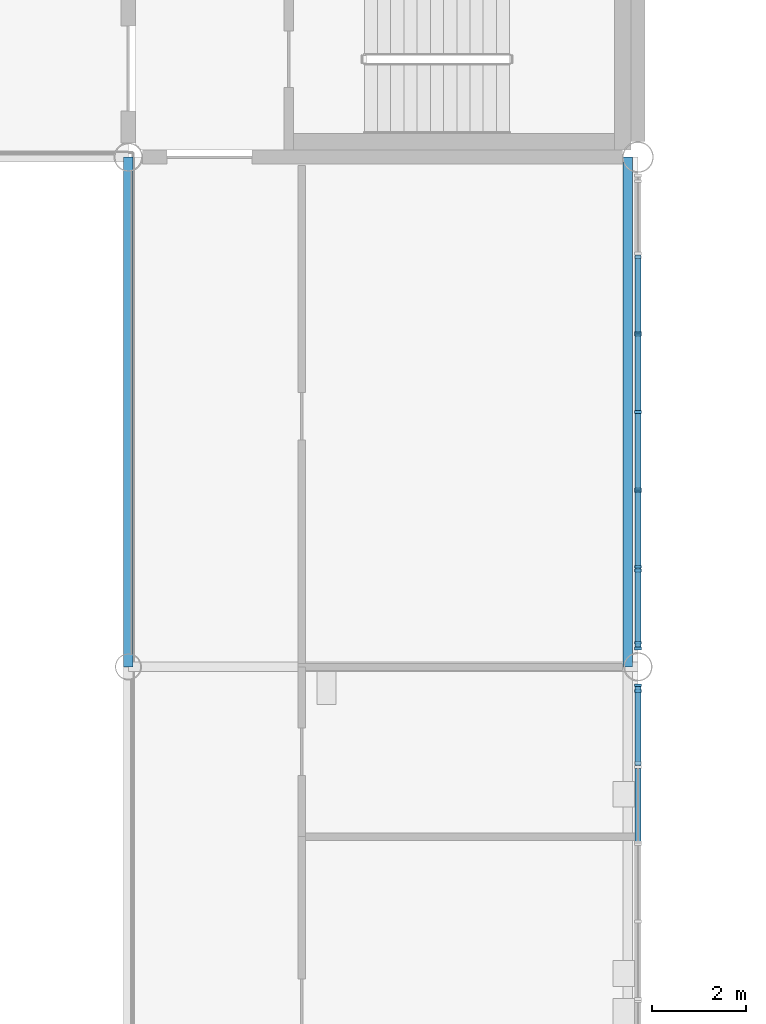
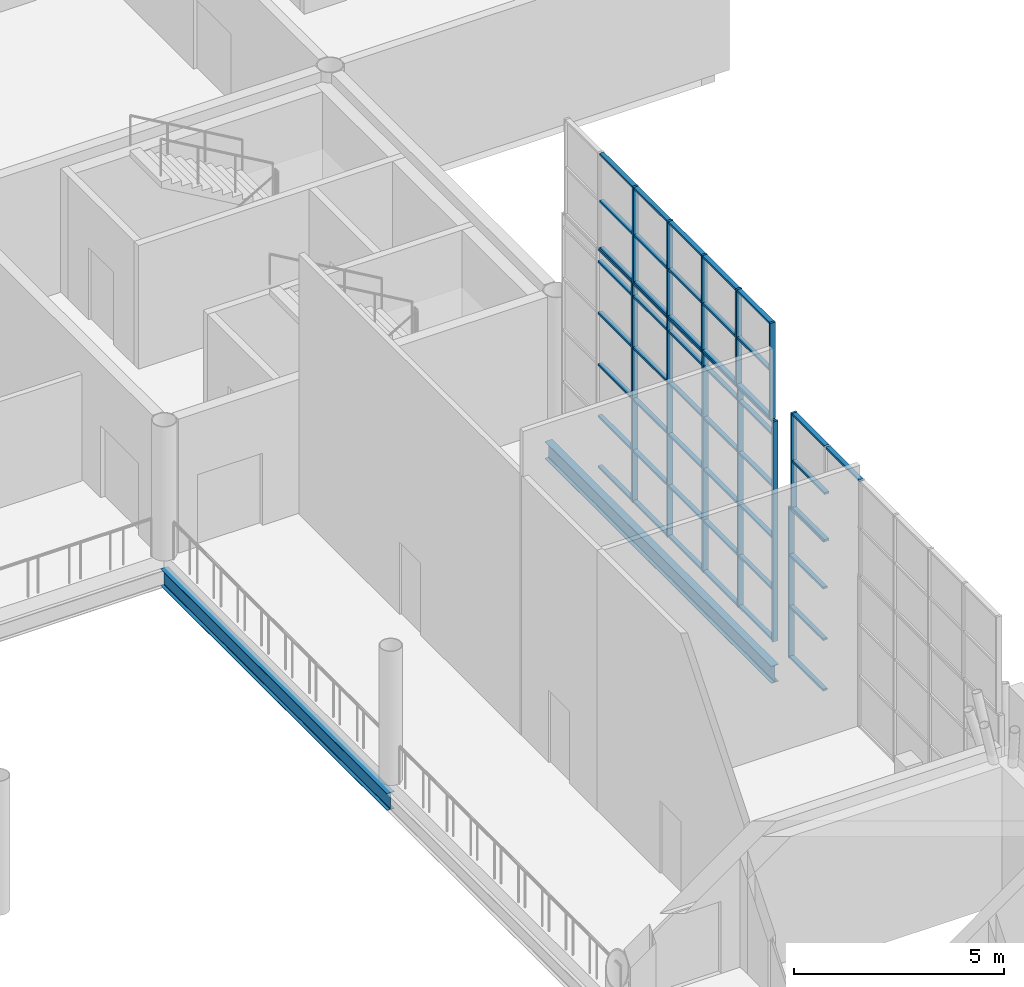
# One storey, part 21 of 95: 65 members, 2 beams, 4 elements without a shape of their own.
"""IFC4 building model written with IfcOpenShell, lengths in metres."""

from ifc_helpers import new_model, si_unit, direction, frame, origin, origin_2d, place, context, subcontext, project, spatial, rectangle, i_section, extrude, material, layer, layer_set, material_profile, profile_set, type_object, element, aggregate, save


model = new_model("IFC4")

# Units and contexts
model_context = context("Model", 3, precision=1e-05, world=origin(), true_north=direction((0.0, 1.0)))
body_context = subcontext(model_context, "Body", "Model", "MODEL_VIEW")
ifc_project = project(units=[si_unit("LENGTHUNIT", "METRE"), si_unit("AREAUNIT", "SQUARE_METRE"), si_unit("VOLUMEUNIT", "CUBIC_METRE"), si_unit("PLANEANGLEUNIT", "RADIAN"), si_unit("MASSUNIT", "GRAM", prefix="KILO")], contexts=[model_context])

# Site, building, storey
site_placement = place(None, origin())
site = spatial("IfcSite", under=ifc_project, at=site_placement, CompositionType="ELEMENT")
building_placement = place(site_placement, origin())
building = spatial("IfcBuilding", under=site, at=building_placement, Name="Magnolia Steps Interchange", CompositionType="ELEMENT")
storey_placement = place(building_placement, frame((0.0, 0.0, 4.800048828125)))
storey = spatial("IfcBuildingStorey", under=building, at=storey_placement, Name="L01", CompositionType="ELEMENT", Elevation=4.800048828125)

# Curtain wall, member
ifc_material_1 = material(Name="Powder-coated aluminium and glass", Category="aluminium")
ifc_layer_1 = layer(ifc_material_1, 0.14990234375)
ifc_layer_set_1 = layer_set([ifc_layer_1], Name="Glazed hall curtain wall")
curtain_wall_type_1 = type_object("IfcCurtainWallType", Name="Glazed hall curtain wall", PredefinedType="NOTDEFINED", material=ifc_layer_set_1)
curtain_wall_1_placement = place(storey_placement, origin())
curtain_wall_1 = element("IfcCurtainWall", 1, at=curtain_wall_1_placement, inside=storey, type_object=curtain_wall_type_1, Name="Hall glazing E2 L01", PredefinedType="NOTDEFINED")
ifc_material_2 = material(Name="White powder-coated aluminium", Category="aluminium")
ifc_material_profile_1 = material_profile(ifc_material_2, rectangle(XDim=0.06005859375, YDim=0.14990234375, at=origin_2d()), Name="Aluminium mullion 60 x 150")
ifc_profile_set_1 = profile_set([ifc_material_profile_1], Name="White powder-coated aluminium")
member_type_1 = type_object("IfcMemberType", Name="Aluminium mullion 60 x 150", PredefinedType="MULLION", material=ifc_profile_set_1)
member_1_placement = place(storey_placement, frame((118.0, 63.610107421875, 0.0), z_axis=(0.0, 0.0, 1.0), x_axis=(0.0, 1.0, 0.0)))
member_1 = element("IfcMember", 2, at=member_1_placement, type_object=member_type_1, Name="CW1 mullion 7", PredefinedType="MULLION", context=body_context, shape_type="SweptSolid", body=[
    extrude(rectangle(XDim=0.06005859375, YDim=0.14990234375, at=origin_2d()), origin(), (0.0, 0.0, 1.0), 4.39990234375),
])

ifc_material_3 = material(Name="Powder-coated aluminium and glass", Category="aluminium")
ifc_layer_2 = layer(ifc_material_3, 0.1201171875)
ifc_layer_set_2 = layer_set([ifc_layer_2], Name="Hall clerestory curtain wall")
curtain_wall_type_2 = type_object("IfcCurtainWallType", Name="Hall clerestory curtain wall", PredefinedType="NOTDEFINED", material=ifc_layer_set_2)
curtain_wall_2_placement = place(storey_placement, origin())
curtain_wall_2 = element("IfcCurtainWall", 3, at=curtain_wall_2_placement, inside=storey, type_object=curtain_wall_type_2, Name="Hall clerestory E2", PredefinedType="NOTDEFINED")
member_2_placement = place(storey_placement, frame((118.0, 63.489990234375, 4.39990234375), z_axis=(0.0, 0.0, 1.0), x_axis=(0.0, 1.0, 0.0)))
member_2 = element("IfcMember", 4, at=member_2_placement, type_object=member_type_1, Name="CW6 mullion 7", PredefinedType="MULLION", context=body_context, shape_type="SweptSolid", body=[
    extrude(rectangle(XDim=0.06005859375, YDim=0.14990234375, at=origin_2d()), origin(), (0.0, 0.0, 1.0), 2.800048828125),
])

# Curtain wall, members
curtain_wall_3_placement = place(storey_placement, origin())
curtain_wall_3 = element("IfcCurtainWall", 5, at=curtain_wall_3_placement, inside=storey, type_object=curtain_wall_type_1, Name="Hall glazing E3 L01", PredefinedType="NOTDEFINED")
member_3_placement = place(storey_placement, frame((118.0, 64.389892578125, 0.0), z_axis=(0.0, 0.0, 1.0), x_axis=(0.0, 1.0, 0.0)))
member_3 = element("IfcMember", 6, at=member_3_placement, type_object=member_type_1, Name="CW1 mullion 1", PredefinedType="MULLION", context=body_context, shape_type="SweptSolid", body=[
    extrude(rectangle(XDim=0.06005859375, YDim=0.14990234375, at=origin_2d()), origin(), (0.0, 0.0, 1.0), 6.39990234375),
])
member_4_placement = place(storey_placement, frame((118.0, 66.0400390625, 0.0), z_axis=(0.0, 0.0, 1.0), x_axis=(0.0, 1.0, 0.0)))
member_4 = element("IfcMember", 7, at=member_4_placement, type_object=member_type_1, Name="CW1 mullion 2", PredefinedType="MULLION", context=body_context, shape_type="SweptSolid", body=[
    extrude(rectangle(XDim=0.06005859375, YDim=0.14990234375, at=origin_2d()), origin(), (0.0, 0.0, 1.0), 6.39990234375),
])
member_5_placement = place(storey_placement, frame((118.0, 67.719970703125, 0.0), z_axis=(0.0, 0.0, 1.0), x_axis=(0.0, 1.0, 0.0)))
member_5 = element("IfcMember", 8, at=member_5_placement, type_object=member_type_1, Name="CW1 mullion 3", PredefinedType="MULLION", context=body_context, shape_type="SweptSolid", body=[
    extrude(rectangle(XDim=0.06005859375, YDim=0.14990234375, at=origin_2d()), origin(), (0.0, 0.0, 1.0), 6.39990234375),
])
member_6_placement = place(storey_placement, frame((118.0, 69.39990234375, 0.0), z_axis=(0.0, 0.0, 1.0), x_axis=(0.0, 1.0, 0.0)))
member_6 = element("IfcMember", 9, at=member_6_placement, type_object=member_type_1, Name="CW1 mullion 4", PredefinedType="MULLION", context=body_context, shape_type="SweptSolid", body=[
    extrude(rectangle(XDim=0.06005859375, YDim=0.14990234375, at=origin_2d()), origin(), (0.0, 0.0, 1.0), 6.39990234375),
])
member_7_placement = place(storey_placement, frame((118.0, 71.080078125, 0.0), z_axis=(0.0, 0.0, 1.0), x_axis=(0.0, 1.0, 0.0)))
member_7 = element("IfcMember", 10, at=member_7_placement, type_object=member_type_1, Name="CW1 mullion 5", PredefinedType="MULLION", context=body_context, shape_type="SweptSolid", body=[
    extrude(rectangle(XDim=0.06005859375, YDim=0.14990234375, at=origin_2d()), origin(), (0.0, 0.0, 1.0), 6.39990234375),
])

curtain_wall_4_placement = place(storey_placement, origin())
curtain_wall_4 = element("IfcCurtainWall", 11, at=curtain_wall_4_placement, inside=storey, type_object=curtain_wall_type_2, Name="Hall clerestory E3", PredefinedType="NOTDEFINED")
member_8_placement = place(storey_placement, frame((118.0, 64.510009765625, 6.39990234375), z_axis=(0.0, 0.0, 1.0), x_axis=(0.0, 1.0, 0.0)))
member_8 = element("IfcMember", 12, at=member_8_placement, type_object=member_type_1, Name="CW6 mullion 1", PredefinedType="MULLION", context=body_context, shape_type="SweptSolid", body=[
    extrude(rectangle(XDim=0.06005859375, YDim=0.14990234375, at=origin_2d()), origin(), (0.0, 0.0, 1.0), 2.800048828125),
])
member_9_placement = place(storey_placement, frame((118.0, 66.1201171875, 6.39990234375), z_axis=(0.0, 0.0, 1.0), x_axis=(0.0, 1.0, 0.0)))
member_9 = element("IfcMember", 13, at=member_9_placement, type_object=member_type_1, Name="CW6 mullion 2", PredefinedType="MULLION", context=body_context, shape_type="SweptSolid", body=[
    extrude(rectangle(XDim=0.06005859375, YDim=0.14990234375, at=origin_2d()), origin(), (0.0, 0.0, 1.0), 2.800048828125),
])
member_10_placement = place(storey_placement, frame((118.0, 67.760009765625, 6.39990234375), z_axis=(0.0, 0.0, 1.0), x_axis=(0.0, 1.0, 0.0)))
member_10 = element("IfcMember", 14, at=member_10_placement, type_object=member_type_1, Name="CW6 mullion 3", PredefinedType="MULLION", context=body_context, shape_type="SweptSolid", body=[
    extrude(rectangle(XDim=0.06005859375, YDim=0.14990234375, at=origin_2d()), origin(), (0.0, 0.0, 1.0), 2.800048828125),
])
member_11_placement = place(storey_placement, frame((118.0, 69.39990234375, 6.39990234375), z_axis=(0.0, 0.0, 1.0), x_axis=(0.0, 1.0, 0.0)))
member_11 = element("IfcMember", 15, at=member_11_placement, type_object=member_type_1, Name="CW6 mullion 4", PredefinedType="MULLION", context=body_context, shape_type="SweptSolid", body=[
    extrude(rectangle(XDim=0.06005859375, YDim=0.14990234375, at=origin_2d()), origin(), (0.0, 0.0, 1.0), 2.800048828125),
])
member_12_placement = place(storey_placement, frame((118.0, 71.0400390625, 6.39990234375), z_axis=(0.0, 0.0, 1.0), x_axis=(0.0, 1.0, 0.0)))
member_12 = element("IfcMember", 16, at=member_12_placement, type_object=member_type_1, Name="CW6 mullion 5", PredefinedType="MULLION", context=body_context, shape_type="SweptSolid", body=[
    extrude(rectangle(XDim=0.06005859375, YDim=0.14990234375, at=origin_2d()), origin(), (0.0, 0.0, 1.0), 2.800048828125),
])

# Member
ifc_material_4 = material(Name="White powder-coated aluminium", Category="aluminium")
ifc_material_profile_2 = material_profile(ifc_material_4, rectangle(XDim=0.06005859375, YDim=0.1201171875, at=origin_2d()), Name="Aluminium transom 60 x 120")
ifc_profile_set_2 = profile_set([ifc_material_profile_2], Name="White powder-coated aluminium")
member_type_2 = type_object("IfcMemberType", Name="Aluminium transom 60 x 120", PredefinedType="USERDEFINED", material=ifc_profile_set_2)
member_13_placement = place(storey_placement, frame((118.0, 61.989990234375, 0.030029296875), z_axis=(0.0, 1.0, 0.0), x_axis=(0.0, 0.0, 1.0)))
member_13 = element("IfcMember", 17, at=member_13_placement, type_object=member_type_2, Name="CW1 transom 6.1", ObjectType="TRANSOM", PredefinedType="USERDEFINED", context=body_context, shape_type="SweptSolid", body=[
    extrude(rectangle(XDim=0.06005859375, YDim=0.1201171875, at=origin_2d()), origin(), (0.0, 0.0, 1.0), 1.590087890625),
])

member_14_placement = place(storey_placement, frame((118.0, 61.989990234375, 1.5), z_axis=(0.0, 1.0, 0.0), x_axis=(0.0, 0.0, 1.0)))
member_14 = element("IfcMember", 18, at=member_14_placement, type_object=member_type_2, Name="CW1 transom 6.2", ObjectType="TRANSOM", PredefinedType="USERDEFINED", context=body_context, shape_type="SweptSolid", body=[
    extrude(rectangle(XDim=0.06005859375, YDim=0.1201171875, at=origin_2d()), origin(), (0.0, 0.0, 1.0), 1.590087890625),
])

member_15_placement = place(storey_placement, frame((118.0, 61.989990234375, 3.0), z_axis=(0.0, 1.0, 0.0), x_axis=(0.0, 0.0, 1.0)))
member_15 = element("IfcMember", 19, at=member_15_placement, type_object=member_type_2, Name="CW1 transom 6.3", ObjectType="TRANSOM", PredefinedType="USERDEFINED", context=body_context, shape_type="SweptSolid", body=[
    extrude(rectangle(XDim=0.06005859375, YDim=0.1201171875, at=origin_2d()), origin(), (0.0, 0.0, 1.0), 1.590087890625),
])

member_16_placement = place(storey_placement, frame((118.0, 61.989990234375, 4.369873046875), z_axis=(0.0, 1.0, 0.0), x_axis=(0.0, 0.0, 1.0)))
member_16 = element("IfcMember", 20, at=member_16_placement, type_object=member_type_2, Name="CW1 transom 6.4", ObjectType="TRANSOM", PredefinedType="USERDEFINED", context=body_context, shape_type="SweptSolid", body=[
    extrude(rectangle(XDim=0.06005859375, YDim=0.1201171875, at=origin_2d()), origin(), (0.0, 0.0, 1.0), 1.590087890625),
])

aggregate(curtain_wall_1, [member_1, member_13, member_14, member_15, member_16])

member_17_placement = place(storey_placement, frame((118.0, 60.27001953125, 7.169921875), z_axis=(0.0, 1.0, 0.0), x_axis=(0.0, 0.0, 1.0)))
member_17 = element("IfcMember", 21, at=member_17_placement, type_object=member_type_2, Name="CW6 transom 5.3", ObjectType="TRANSOM", PredefinedType="USERDEFINED", context=body_context, shape_type="SweptSolid", body=[
    extrude(rectangle(XDim=0.06005859375, YDim=0.1201171875, at=origin_2d()), origin(), (0.0, 0.0, 1.0), 1.580078125),
])

member_18_placement = place(storey_placement, frame((118.0, 61.909912109375, 4.429931640625), z_axis=(0.0, 1.0, 0.0), x_axis=(0.0, 0.0, 1.0)))
member_18 = element("IfcMember", 22, at=member_18_placement, type_object=member_type_2, Name="CW6 transom 6.1", ObjectType="TRANSOM", PredefinedType="USERDEFINED", context=body_context, shape_type="SweptSolid", body=[
    extrude(rectangle(XDim=0.06005859375, YDim=0.1201171875, at=origin_2d()), origin(), (0.0, 0.0, 1.0), 1.550048828125),
])

member_19_placement = place(storey_placement, frame((118.0, 61.909912109375, 5.800048828125), z_axis=(0.0, 1.0, 0.0), x_axis=(0.0, 0.0, 1.0)))
member_19 = element("IfcMember", 23, at=member_19_placement, type_object=member_type_2, Name="CW6 transom 6.2", ObjectType="TRANSOM", PredefinedType="USERDEFINED", context=body_context, shape_type="SweptSolid", body=[
    extrude(rectangle(XDim=0.06005859375, YDim=0.1201171875, at=origin_2d()), origin(), (0.0, 0.0, 1.0), 1.550048828125),
])

member_20_placement = place(storey_placement, frame((118.0, 61.909912109375, 7.169921875), z_axis=(0.0, 1.0, 0.0), x_axis=(0.0, 0.0, 1.0)))
member_20 = element("IfcMember", 24, at=member_20_placement, type_object=member_type_2, Name="CW6 transom 6.3", ObjectType="TRANSOM", PredefinedType="USERDEFINED", context=body_context, shape_type="SweptSolid", body=[
    extrude(rectangle(XDim=0.06005859375, YDim=0.1201171875, at=origin_2d()), origin(), (0.0, 0.0, 1.0), 1.550048828125),
])

aggregate(curtain_wall_2, [member_2, member_17, member_18, member_19, member_20])

member_21_placement = place(storey_placement, frame((118.0, 64.419921875, 0.030029296875), z_axis=(0.0, 1.0, 0.0), x_axis=(0.0, 0.0, 1.0)))
member_21 = element("IfcMember", 25, at=member_21_placement, type_object=member_type_2, Name="CW1 transom 1.1", ObjectType="TRANSOM", PredefinedType="USERDEFINED", context=body_context, shape_type="SweptSolid", body=[
    extrude(rectangle(XDim=0.06005859375, YDim=0.1201171875, at=origin_2d()), origin(), (0.0, 0.0, 1.0), 1.590087890625),
])

member_22_placement = place(storey_placement, frame((118.0, 64.419921875, 1.5), z_axis=(0.0, 1.0, 0.0), x_axis=(0.0, 0.0, 1.0)))
member_22 = element("IfcMember", 26, at=member_22_placement, type_object=member_type_2, Name="CW1 transom 1.2", ObjectType="TRANSOM", PredefinedType="USERDEFINED", context=body_context, shape_type="SweptSolid", body=[
    extrude(rectangle(XDim=0.06005859375, YDim=0.1201171875, at=origin_2d()), origin(), (0.0, 0.0, 1.0), 1.590087890625),
])

member_23_placement = place(storey_placement, frame((118.0, 64.419921875, 3.0), z_axis=(0.0, 1.0, 0.0), x_axis=(0.0, 0.0, 1.0)))
member_23 = element("IfcMember", 27, at=member_23_placement, type_object=member_type_2, Name="CW1 transom 1.3", ObjectType="TRANSOM", PredefinedType="USERDEFINED", context=body_context, shape_type="SweptSolid", body=[
    extrude(rectangle(XDim=0.06005859375, YDim=0.1201171875, at=origin_2d()), origin(), (0.0, 0.0, 1.0), 1.590087890625),
])

member_24_placement = place(storey_placement, frame((118.0, 64.419921875, 4.5), z_axis=(0.0, 1.0, 0.0), x_axis=(0.0, 0.0, 1.0)))
member_24 = element("IfcMember", 28, at=member_24_placement, type_object=member_type_2, Name="CW1 transom 1.4", ObjectType="TRANSOM", PredefinedType="USERDEFINED", context=body_context, shape_type="SweptSolid", body=[
    extrude(rectangle(XDim=0.06005859375, YDim=0.1201171875, at=origin_2d()), origin(), (0.0, 0.0, 1.0), 1.590087890625),
])

member_25_placement = place(storey_placement, frame((118.0, 64.419921875, 6.0), z_axis=(0.0, 1.0, 0.0), x_axis=(0.0, 0.0, 1.0)))
member_25 = element("IfcMember", 29, at=member_25_placement, type_object=member_type_2, Name="CW1 transom 1.5", ObjectType="TRANSOM", PredefinedType="USERDEFINED", context=body_context, shape_type="SweptSolid", body=[
    extrude(rectangle(XDim=0.06005859375, YDim=0.1201171875, at=origin_2d()), origin(), (0.0, 0.0, 1.0), 1.590087890625),
])

member_26_placement = place(storey_placement, frame((118.0, 64.419921875, 6.369873046875), z_axis=(0.0, 1.0, 0.0), x_axis=(0.0, 0.0, 1.0)))
member_26 = element("IfcMember", 30, at=member_26_placement, type_object=member_type_2, Name="CW1 transom 1.6", ObjectType="TRANSOM", PredefinedType="USERDEFINED", context=body_context, shape_type="SweptSolid", body=[
    extrude(rectangle(XDim=0.06005859375, YDim=0.1201171875, at=origin_2d()), origin(), (0.0, 0.0, 1.0), 1.590087890625),
])

member_27_placement = place(storey_placement, frame((118.0, 66.070068359375, 0.030029296875), z_axis=(0.0, 1.0, 0.0), x_axis=(0.0, 0.0, 1.0)))
member_27 = element("IfcMember", 31, at=member_27_placement, type_object=member_type_2, Name="CW1 transom 2.1", ObjectType="TRANSOM", PredefinedType="USERDEFINED", context=body_context, shape_type="SweptSolid", body=[
    extrude(rectangle(XDim=0.06005859375, YDim=0.1201171875, at=origin_2d()), origin(), (0.0, 0.0, 1.0), 1.619873046875),
])

member_28_placement = place(storey_placement, frame((118.0, 66.070068359375, 1.5), z_axis=(0.0, 1.0, 0.0), x_axis=(0.0, 0.0, 1.0)))
member_28 = element("IfcMember", 32, at=member_28_placement, type_object=member_type_2, Name="CW1 transom 2.2", ObjectType="TRANSOM", PredefinedType="USERDEFINED", context=body_context, shape_type="SweptSolid", body=[
    extrude(rectangle(XDim=0.06005859375, YDim=0.1201171875, at=origin_2d()), origin(), (0.0, 0.0, 1.0), 1.619873046875),
])

member_29_placement = place(storey_placement, frame((118.0, 66.070068359375, 3.0), z_axis=(0.0, 1.0, 0.0), x_axis=(0.0, 0.0, 1.0)))
member_29 = element("IfcMember", 33, at=member_29_placement, type_object=member_type_2, Name="CW1 transom 2.3", ObjectType="TRANSOM", PredefinedType="USERDEFINED", context=body_context, shape_type="SweptSolid", body=[
    extrude(rectangle(XDim=0.06005859375, YDim=0.1201171875, at=origin_2d()), origin(), (0.0, 0.0, 1.0), 1.619873046875),
])

member_30_placement = place(storey_placement, frame((118.0, 66.070068359375, 4.5), z_axis=(0.0, 1.0, 0.0), x_axis=(0.0, 0.0, 1.0)))
member_30 = element("IfcMember", 34, at=member_30_placement, type_object=member_type_2, Name="CW1 transom 2.4", ObjectType="TRANSOM", PredefinedType="USERDEFINED", context=body_context, shape_type="SweptSolid", body=[
    extrude(rectangle(XDim=0.06005859375, YDim=0.1201171875, at=origin_2d()), origin(), (0.0, 0.0, 1.0), 1.619873046875),
])

member_31_placement = place(storey_placement, frame((118.0, 66.070068359375, 6.0), z_axis=(0.0, 1.0, 0.0), x_axis=(0.0, 0.0, 1.0)))
member_31 = element("IfcMember", 35, at=member_31_placement, type_object=member_type_2, Name="CW1 transom 2.5", ObjectType="TRANSOM", PredefinedType="USERDEFINED", context=body_context, shape_type="SweptSolid", body=[
    extrude(rectangle(XDim=0.06005859375, YDim=0.1201171875, at=origin_2d()), origin(), (0.0, 0.0, 1.0), 1.619873046875),
])

member_32_placement = place(storey_placement, frame((118.0, 66.070068359375, 6.369873046875), z_axis=(0.0, 1.0, 0.0), x_axis=(0.0, 0.0, 1.0)))
member_32 = element("IfcMember", 36, at=member_32_placement, type_object=member_type_2, Name="CW1 transom 2.6", ObjectType="TRANSOM", PredefinedType="USERDEFINED", context=body_context, shape_type="SweptSolid", body=[
    extrude(rectangle(XDim=0.06005859375, YDim=0.1201171875, at=origin_2d()), origin(), (0.0, 0.0, 1.0), 1.619873046875),
])

member_33_placement = place(storey_placement, frame((118.0, 67.75, 0.030029296875), z_axis=(0.0, 1.0, 0.0), x_axis=(0.0, 0.0, 1.0)))
member_33 = element("IfcMember", 37, at=member_33_placement, type_object=member_type_2, Name="CW1 transom 3.1", ObjectType="TRANSOM", PredefinedType="USERDEFINED", context=body_context, shape_type="SweptSolid", body=[
    extrude(rectangle(XDim=0.06005859375, YDim=0.1201171875, at=origin_2d()), origin(), (0.0, 0.0, 1.0), 1.6201171875),
])

member_34_placement = place(storey_placement, frame((118.0, 67.75, 1.5), z_axis=(0.0, 1.0, 0.0), x_axis=(0.0, 0.0, 1.0)))
member_34 = element("IfcMember", 38, at=member_34_placement, type_object=member_type_2, Name="CW1 transom 3.2", ObjectType="TRANSOM", PredefinedType="USERDEFINED", context=body_context, shape_type="SweptSolid", body=[
    extrude(rectangle(XDim=0.06005859375, YDim=0.1201171875, at=origin_2d()), origin(), (0.0, 0.0, 1.0), 1.6201171875),
])

member_35_placement = place(storey_placement, frame((118.0, 67.75, 3.0), z_axis=(0.0, 1.0, 0.0), x_axis=(0.0, 0.0, 1.0)))
member_35 = element("IfcMember", 39, at=member_35_placement, type_object=member_type_2, Name="CW1 transom 3.3", ObjectType="TRANSOM", PredefinedType="USERDEFINED", context=body_context, shape_type="SweptSolid", body=[
    extrude(rectangle(XDim=0.06005859375, YDim=0.1201171875, at=origin_2d()), origin(), (0.0, 0.0, 1.0), 1.6201171875),
])

member_36_placement = place(storey_placement, frame((118.0, 67.75, 4.5), z_axis=(0.0, 1.0, 0.0), x_axis=(0.0, 0.0, 1.0)))
member_36 = element("IfcMember", 40, at=member_36_placement, type_object=member_type_2, Name="CW1 transom 3.4", ObjectType="TRANSOM", PredefinedType="USERDEFINED", context=body_context, shape_type="SweptSolid", body=[
    extrude(rectangle(XDim=0.06005859375, YDim=0.1201171875, at=origin_2d()), origin(), (0.0, 0.0, 1.0), 1.6201171875),
])

member_37_placement = place(storey_placement, frame((118.0, 67.75, 6.0), z_axis=(0.0, 1.0, 0.0), x_axis=(0.0, 0.0, 1.0)))
member_37 = element("IfcMember", 41, at=member_37_placement, type_object=member_type_2, Name="CW1 transom 3.5", ObjectType="TRANSOM", PredefinedType="USERDEFINED", context=body_context, shape_type="SweptSolid", body=[
    extrude(rectangle(XDim=0.06005859375, YDim=0.1201171875, at=origin_2d()), origin(), (0.0, 0.0, 1.0), 1.6201171875),
])

member_38_placement = place(storey_placement, frame((118.0, 67.75, 6.369873046875), z_axis=(0.0, 1.0, 0.0), x_axis=(0.0, 0.0, 1.0)))
member_38 = element("IfcMember", 42, at=member_38_placement, type_object=member_type_2, Name="CW1 transom 3.6", ObjectType="TRANSOM", PredefinedType="USERDEFINED", context=body_context, shape_type="SweptSolid", body=[
    extrude(rectangle(XDim=0.06005859375, YDim=0.1201171875, at=origin_2d()), origin(), (0.0, 0.0, 1.0), 1.6201171875),
])

member_39_placement = place(storey_placement, frame((118.0, 69.429931640625, 0.030029296875), z_axis=(0.0, 1.0, 0.0), x_axis=(0.0, 0.0, 1.0)))
member_39 = element("IfcMember", 43, at=member_39_placement, type_object=member_type_2, Name="CW1 transom 4.1", ObjectType="TRANSOM", PredefinedType="USERDEFINED", context=body_context, shape_type="SweptSolid", body=[
    extrude(rectangle(XDim=0.06005859375, YDim=0.1201171875, at=origin_2d()), origin(), (0.0, 0.0, 1.0), 1.6201171875),
])

member_40_placement = place(storey_placement, frame((118.0, 69.429931640625, 1.5), z_axis=(0.0, 1.0, 0.0), x_axis=(0.0, 0.0, 1.0)))
member_40 = element("IfcMember", 44, at=member_40_placement, type_object=member_type_2, Name="CW1 transom 4.2", ObjectType="TRANSOM", PredefinedType="USERDEFINED", context=body_context, shape_type="SweptSolid", body=[
    extrude(rectangle(XDim=0.06005859375, YDim=0.1201171875, at=origin_2d()), origin(), (0.0, 0.0, 1.0), 1.6201171875),
])

member_41_placement = place(storey_placement, frame((118.0, 69.429931640625, 3.0), z_axis=(0.0, 1.0, 0.0), x_axis=(0.0, 0.0, 1.0)))
member_41 = element("IfcMember", 45, at=member_41_placement, type_object=member_type_2, Name="CW1 transom 4.3", ObjectType="TRANSOM", PredefinedType="USERDEFINED", context=body_context, shape_type="SweptSolid", body=[
    extrude(rectangle(XDim=0.06005859375, YDim=0.1201171875, at=origin_2d()), origin(), (0.0, 0.0, 1.0), 1.6201171875),
])

member_42_placement = place(storey_placement, frame((118.0, 69.429931640625, 4.5), z_axis=(0.0, 1.0, 0.0), x_axis=(0.0, 0.0, 1.0)))
member_42 = element("IfcMember", 46, at=member_42_placement, type_object=member_type_2, Name="CW1 transom 4.4", ObjectType="TRANSOM", PredefinedType="USERDEFINED", context=body_context, shape_type="SweptSolid", body=[
    extrude(rectangle(XDim=0.06005859375, YDim=0.1201171875, at=origin_2d()), origin(), (0.0, 0.0, 1.0), 1.6201171875),
])

member_43_placement = place(storey_placement, frame((118.0, 69.429931640625, 6.0), z_axis=(0.0, 1.0, 0.0), x_axis=(0.0, 0.0, 1.0)))
member_43 = element("IfcMember", 47, at=member_43_placement, type_object=member_type_2, Name="CW1 transom 4.5", ObjectType="TRANSOM", PredefinedType="USERDEFINED", context=body_context, shape_type="SweptSolid", body=[
    extrude(rectangle(XDim=0.06005859375, YDim=0.1201171875, at=origin_2d()), origin(), (0.0, 0.0, 1.0), 1.6201171875),
])

member_44_placement = place(storey_placement, frame((118.0, 69.429931640625, 6.369873046875), z_axis=(0.0, 1.0, 0.0), x_axis=(0.0, 0.0, 1.0)))
member_44 = element("IfcMember", 48, at=member_44_placement, type_object=member_type_2, Name="CW1 transom 4.6", ObjectType="TRANSOM", PredefinedType="USERDEFINED", context=body_context, shape_type="SweptSolid", body=[
    extrude(rectangle(XDim=0.06005859375, YDim=0.1201171875, at=origin_2d()), origin(), (0.0, 0.0, 1.0), 1.6201171875),
])

member_45_placement = place(storey_placement, frame((118.0, 71.110107421875, 0.030029296875), z_axis=(0.0, 1.0, 0.0), x_axis=(0.0, 0.0, 1.0)))
member_45 = element("IfcMember", 49, at=member_45_placement, type_object=member_type_2, Name="CW1 transom 5.1", ObjectType="TRANSOM", PredefinedType="USERDEFINED", context=body_context, shape_type="SweptSolid", body=[
    extrude(rectangle(XDim=0.06005859375, YDim=0.1201171875, at=origin_2d()), origin(), (0.0, 0.0, 1.0), 1.619873046875),
])

member_46_placement = place(storey_placement, frame((118.0, 71.110107421875, 1.5), z_axis=(0.0, 1.0, 0.0), x_axis=(0.0, 0.0, 1.0)))
member_46 = element("IfcMember", 50, at=member_46_placement, type_object=member_type_2, Name="CW1 transom 5.2", ObjectType="TRANSOM", PredefinedType="USERDEFINED", context=body_context, shape_type="SweptSolid", body=[
    extrude(rectangle(XDim=0.06005859375, YDim=0.1201171875, at=origin_2d()), origin(), (0.0, 0.0, 1.0), 1.619873046875),
])

member_47_placement = place(storey_placement, frame((118.0, 71.110107421875, 3.0), z_axis=(0.0, 1.0, 0.0), x_axis=(0.0, 0.0, 1.0)))
member_47 = element("IfcMember", 51, at=member_47_placement, type_object=member_type_2, Name="CW1 transom 5.3", ObjectType="TRANSOM", PredefinedType="USERDEFINED", context=body_context, shape_type="SweptSolid", body=[
    extrude(rectangle(XDim=0.06005859375, YDim=0.1201171875, at=origin_2d()), origin(), (0.0, 0.0, 1.0), 1.619873046875),
])

member_48_placement = place(storey_placement, frame((118.0, 71.110107421875, 4.5), z_axis=(0.0, 1.0, 0.0), x_axis=(0.0, 0.0, 1.0)))
member_48 = element("IfcMember", 52, at=member_48_placement, type_object=member_type_2, Name="CW1 transom 5.4", ObjectType="TRANSOM", PredefinedType="USERDEFINED", context=body_context, shape_type="SweptSolid", body=[
    extrude(rectangle(XDim=0.06005859375, YDim=0.1201171875, at=origin_2d()), origin(), (0.0, 0.0, 1.0), 1.619873046875),
])

member_49_placement = place(storey_placement, frame((118.0, 71.110107421875, 6.0), z_axis=(0.0, 1.0, 0.0), x_axis=(0.0, 0.0, 1.0)))
member_49 = element("IfcMember", 53, at=member_49_placement, type_object=member_type_2, Name="CW1 transom 5.5", ObjectType="TRANSOM", PredefinedType="USERDEFINED", context=body_context, shape_type="SweptSolid", body=[
    extrude(rectangle(XDim=0.06005859375, YDim=0.1201171875, at=origin_2d()), origin(), (0.0, 0.0, 1.0), 1.619873046875),
])

member_50_placement = place(storey_placement, frame((118.0, 71.110107421875, 6.369873046875), z_axis=(0.0, 1.0, 0.0), x_axis=(0.0, 0.0, 1.0)))
member_50 = element("IfcMember", 54, at=member_50_placement, type_object=member_type_2, Name="CW1 transom 5.6", ObjectType="TRANSOM", PredefinedType="USERDEFINED", context=body_context, shape_type="SweptSolid", body=[
    extrude(rectangle(XDim=0.06005859375, YDim=0.1201171875, at=origin_2d()), origin(), (0.0, 0.0, 1.0), 1.619873046875),
])

aggregate(curtain_wall_3, [member_3, member_4, member_5, member_6, member_7, member_21, member_22, member_23, member_24, member_25, member_26, member_27, member_28, member_29, member_30, member_31, member_32, member_33, member_34, member_35, member_36, member_37, member_38, member_39, member_40, member_41, member_42, member_43, member_44, member_45, member_46, member_47, member_48, member_49, member_50])

member_51_placement = place(storey_placement, frame((118.0, 64.5400390625, 6.429931640625), z_axis=(0.0, 1.0, 0.0), x_axis=(0.0, 0.0, 1.0)))
member_51 = element("IfcMember", 55, at=member_51_placement, type_object=member_type_2, Name="CW6 transom 1.1", ObjectType="TRANSOM", PredefinedType="USERDEFINED", context=body_context, shape_type="SweptSolid", body=[
    extrude(rectangle(XDim=0.06005859375, YDim=0.1201171875, at=origin_2d()), origin(), (0.0, 0.0, 1.0), 1.550048828125),
])

member_52_placement = place(storey_placement, frame((118.0, 64.5400390625, 7.800048828125), z_axis=(0.0, 1.0, 0.0), x_axis=(0.0, 0.0, 1.0)))
member_52 = element("IfcMember", 56, at=member_52_placement, type_object=member_type_2, Name="CW6 transom 1.2", ObjectType="TRANSOM", PredefinedType="USERDEFINED", context=body_context, shape_type="SweptSolid", body=[
    extrude(rectangle(XDim=0.06005859375, YDim=0.1201171875, at=origin_2d()), origin(), (0.0, 0.0, 1.0), 1.550048828125),
])

member_53_placement = place(storey_placement, frame((118.0, 64.5400390625, 9.169921875), z_axis=(0.0, 1.0, 0.0), x_axis=(0.0, 0.0, 1.0)))
member_53 = element("IfcMember", 57, at=member_53_placement, type_object=member_type_2, Name="CW6 transom 1.3", ObjectType="TRANSOM", PredefinedType="USERDEFINED", context=body_context, shape_type="SweptSolid", body=[
    extrude(rectangle(XDim=0.06005859375, YDim=0.1201171875, at=origin_2d()), origin(), (0.0, 0.0, 1.0), 1.550048828125),
])

member_54_placement = place(storey_placement, frame((118.0, 66.14990234375, 6.429931640625), z_axis=(0.0, 1.0, 0.0), x_axis=(0.0, 0.0, 1.0)))
member_54 = element("IfcMember", 58, at=member_54_placement, type_object=member_type_2, Name="CW6 transom 2.1", ObjectType="TRANSOM", PredefinedType="USERDEFINED", context=body_context, shape_type="SweptSolid", body=[
    extrude(rectangle(XDim=0.06005859375, YDim=0.1201171875, at=origin_2d()), origin(), (0.0, 0.0, 1.0), 1.580078125),
])

member_55_placement = place(storey_placement, frame((118.0, 66.14990234375, 7.800048828125), z_axis=(0.0, 1.0, 0.0), x_axis=(0.0, 0.0, 1.0)))
member_55 = element("IfcMember", 59, at=member_55_placement, type_object=member_type_2, Name="CW6 transom 2.2", ObjectType="TRANSOM", PredefinedType="USERDEFINED", context=body_context, shape_type="SweptSolid", body=[
    extrude(rectangle(XDim=0.06005859375, YDim=0.1201171875, at=origin_2d()), origin(), (0.0, 0.0, 1.0), 1.580078125),
])

member_56_placement = place(storey_placement, frame((118.0, 66.14990234375, 9.169921875), z_axis=(0.0, 1.0, 0.0), x_axis=(0.0, 0.0, 1.0)))
member_56 = element("IfcMember", 60, at=member_56_placement, type_object=member_type_2, Name="CW6 transom 2.3", ObjectType="TRANSOM", PredefinedType="USERDEFINED", context=body_context, shape_type="SweptSolid", body=[
    extrude(rectangle(XDim=0.06005859375, YDim=0.1201171875, at=origin_2d()), origin(), (0.0, 0.0, 1.0), 1.580078125),
])

member_57_placement = place(storey_placement, frame((118.0, 67.7900390625, 6.429931640625), z_axis=(0.0, 1.0, 0.0), x_axis=(0.0, 0.0, 1.0)))
member_57 = element("IfcMember", 61, at=member_57_placement, type_object=member_type_2, Name="CW6 transom 3.1", ObjectType="TRANSOM", PredefinedType="USERDEFINED", context=body_context, shape_type="SweptSolid", body=[
    extrude(rectangle(XDim=0.06005859375, YDim=0.1201171875, at=origin_2d()), origin(), (0.0, 0.0, 1.0), 1.580078125),
])

member_58_placement = place(storey_placement, frame((118.0, 67.7900390625, 7.800048828125), z_axis=(0.0, 1.0, 0.0), x_axis=(0.0, 0.0, 1.0)))
member_58 = element("IfcMember", 62, at=member_58_placement, type_object=member_type_2, Name="CW6 transom 3.2", ObjectType="TRANSOM", PredefinedType="USERDEFINED", context=body_context, shape_type="SweptSolid", body=[
    extrude(rectangle(XDim=0.06005859375, YDim=0.1201171875, at=origin_2d()), origin(), (0.0, 0.0, 1.0), 1.580078125),
])

member_59_placement = place(storey_placement, frame((118.0, 67.7900390625, 9.169921875), z_axis=(0.0, 1.0, 0.0), x_axis=(0.0, 0.0, 1.0)))
member_59 = element("IfcMember", 63, at=member_59_placement, type_object=member_type_2, Name="CW6 transom 3.3", ObjectType="TRANSOM", PredefinedType="USERDEFINED", context=body_context, shape_type="SweptSolid", body=[
    extrude(rectangle(XDim=0.06005859375, YDim=0.1201171875, at=origin_2d()), origin(), (0.0, 0.0, 1.0), 1.580078125),
])

member_60_placement = place(storey_placement, frame((118.0, 69.429931640625, 6.429931640625), z_axis=(0.0, 1.0, 0.0), x_axis=(0.0, 0.0, 1.0)))
member_60 = element("IfcMember", 64, at=member_60_placement, type_object=member_type_2, Name="CW6 transom 4.1", ObjectType="TRANSOM", PredefinedType="USERDEFINED", context=body_context, shape_type="SweptSolid", body=[
    extrude(rectangle(XDim=0.06005859375, YDim=0.1201171875, at=origin_2d()), origin(), (0.0, 0.0, 1.0), 1.580078125),
])

member_61_placement = place(storey_placement, frame((118.0, 69.429931640625, 7.800048828125), z_axis=(0.0, 1.0, 0.0), x_axis=(0.0, 0.0, 1.0)))
member_61 = element("IfcMember", 65, at=member_61_placement, type_object=member_type_2, Name="CW6 transom 4.2", ObjectType="TRANSOM", PredefinedType="USERDEFINED", context=body_context, shape_type="SweptSolid", body=[
    extrude(rectangle(XDim=0.06005859375, YDim=0.1201171875, at=origin_2d()), origin(), (0.0, 0.0, 1.0), 1.580078125),
])

member_62_placement = place(storey_placement, frame((118.0, 69.429931640625, 9.169921875), z_axis=(0.0, 1.0, 0.0), x_axis=(0.0, 0.0, 1.0)))
member_62 = element("IfcMember", 66, at=member_62_placement, type_object=member_type_2, Name="CW6 transom 4.3", ObjectType="TRANSOM", PredefinedType="USERDEFINED", context=body_context, shape_type="SweptSolid", body=[
    extrude(rectangle(XDim=0.06005859375, YDim=0.1201171875, at=origin_2d()), origin(), (0.0, 0.0, 1.0), 1.580078125),
])

member_63_placement = place(storey_placement, frame((118.0, 71.070068359375, 6.429931640625), z_axis=(0.0, 1.0, 0.0), x_axis=(0.0, 0.0, 1.0)))
member_63 = element("IfcMember", 67, at=member_63_placement, type_object=member_type_2, Name="CW6 transom 5.1", ObjectType="TRANSOM", PredefinedType="USERDEFINED", context=body_context, shape_type="SweptSolid", body=[
    extrude(rectangle(XDim=0.06005859375, YDim=0.1201171875, at=origin_2d()), origin(), (0.0, 0.0, 1.0), 1.579833984375),
])

member_64_placement = place(storey_placement, frame((118.0, 71.070068359375, 7.800048828125), z_axis=(0.0, 1.0, 0.0), x_axis=(0.0, 0.0, 1.0)))
member_64 = element("IfcMember", 68, at=member_64_placement, type_object=member_type_2, Name="CW6 transom 5.2", ObjectType="TRANSOM", PredefinedType="USERDEFINED", context=body_context, shape_type="SweptSolid", body=[
    extrude(rectangle(XDim=0.06005859375, YDim=0.1201171875, at=origin_2d()), origin(), (0.0, 0.0, 1.0), 1.579833984375),
])

member_65_placement = place(storey_placement, frame((118.0, 71.070068359375, 9.169921875), z_axis=(0.0, 1.0, 0.0), x_axis=(0.0, 0.0, 1.0)))
member_65 = element("IfcMember", 69, at=member_65_placement, type_object=member_type_2, Name="CW6 transom 5.3", ObjectType="TRANSOM", PredefinedType="USERDEFINED", context=body_context, shape_type="SweptSolid", body=[
    extrude(rectangle(XDim=0.06005859375, YDim=0.1201171875, at=origin_2d()), origin(), (0.0, 0.0, 1.0), 1.579833984375),
])

aggregate(curtain_wall_4, [member_8, member_9, member_10, member_11, member_12, member_51, member_52, member_53, member_54, member_55, member_56, member_57, member_58, member_59, member_60, member_61, member_62, member_63, member_64, member_65])

# Beams
ifc_material_5 = material(Name="Steel Q355B", Category="steel")
ifc_material_profile_3 = material_profile(ifc_material_5, i_section(OverallWidth=0.199951171875, OverallDepth=0.5, WebThickness=0.010009765625, FlangeThickness=0.01611328125, FilletRadius=0.02001953125, at=origin_2d()), Name="HN500x200")
ifc_profile_set_3 = profile_set([ifc_material_profile_3], Name="Steel Q355B")
beam_type = type_object("IfcBeamType", Name="Steel composite beam HN500x200", PredefinedType="BEAM", material=ifc_profile_set_3)
for number, where, z_axis, x_axis, name in (
    (70, (107.199951171875, 64.0, -0.650146484375), (0.0, 1.0, 0.0), (-1.0, 0.0, 0.0), "Beam L01 10 F-G"),
    (71, (117.780029296875, 64.0, -0.650146484375), (0.0, 1.0, 0.0), (-1.0, 0.0, 0.0), "Beam L01 11 F-G"),
):
    element("IfcBeam", number, at=place(storey_placement, frame(where, z_axis=z_axis, x_axis=x_axis)), inside=storey, type_object=beam_type, Name=name, PredefinedType="BEAM", context=body_context, shape_type="SweptSolid", body=[
        extrude(i_section(OverallWidth=0.199951171875, OverallDepth=0.5, WebThickness=0.010009765625, FlangeThickness=0.01611328125, FilletRadius=0.02001953125, at=origin_2d()), origin(), (0.0, 0.0, 1.0), 10.800048828125),
    ])

save(model, "model.ifc")
